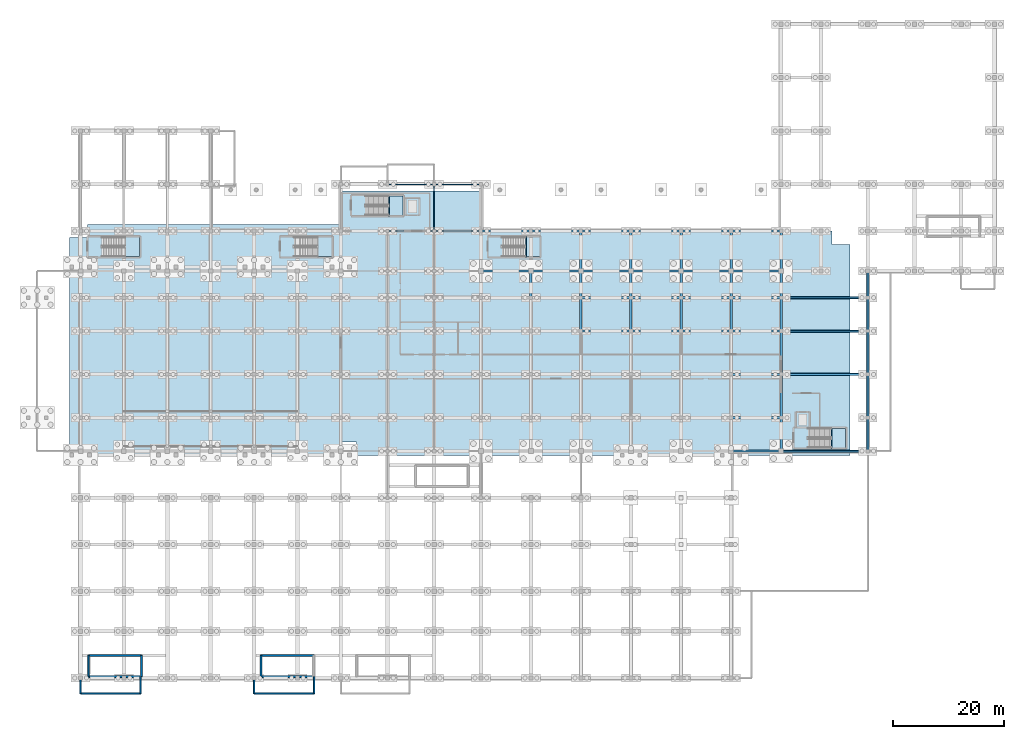
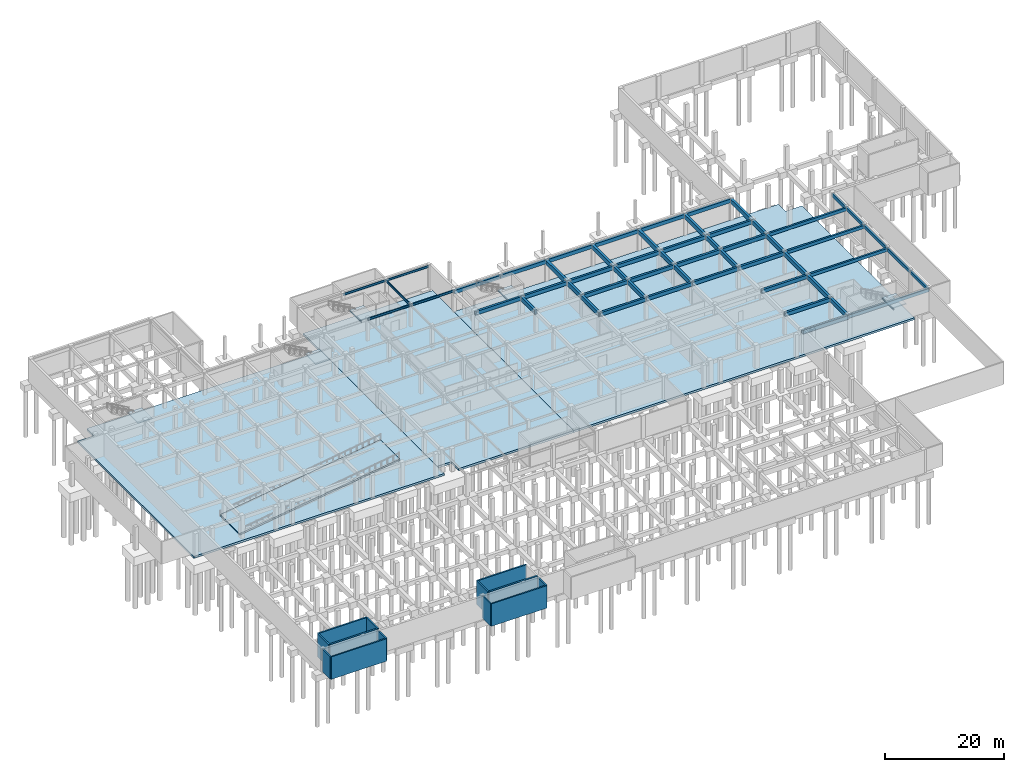
# One storey, part 14 of 26: 59 beams, 13 walls, 9 slabs, 5 elements without a shape of their own.
"""IFC4 building model written with IfcOpenShell, lengths in metres."""

from ifc_helpers import new_model, si_unit, direction, frame, frame_2d, origin, origin_2d, place, context, subcontext, project, spatial, polyline, rectangle, i_section, outline, extrude, material, layer, layer_set, material_profile, profile_set, type_object, element, aggregate, save


model = new_model("IFC4")

# Units and contexts
model_context = context("Model", 3, precision=1e-05, world=origin(), true_north=direction((0.0, 1.0)))
body_context = subcontext(model_context, "Body", "Model", "MODEL_VIEW")
ifc_project = project(units=[si_unit("LENGTHUNIT", "METRE"), si_unit("AREAUNIT", "SQUARE_METRE"), si_unit("VOLUMEUNIT", "CUBIC_METRE"), si_unit("PLANEANGLEUNIT", "RADIAN"), si_unit("MASSUNIT", "GRAM", prefix="KILO")], contexts=[model_context])

# Site, building, storey
site_placement = place(None, origin())
site = spatial("IfcSite", under=ifc_project, at=site_placement, CompositionType="ELEMENT")
building_placement = place(site_placement, origin())
building = spatial("IfcBuilding", under=site, at=building_placement, Name="Tizgana Railside Sports Hall", CompositionType="ELEMENT")
storey_placement = place(building_placement, frame((0.0, 0.0, -4.800048828125)))
storey = spatial("IfcBuildingStorey", under=building, at=storey_placement, Name="B1", CompositionType="ELEMENT", Elevation=-4.800048828125)

# Beams
ifc_material_1 = material(Name="Concrete C35/45", Category="concrete")
ifc_material_profile_1 = material_profile(ifc_material_1, rectangle(XDim=0.35009765625, YDim=0.64990234375, at=origin_2d()), Name="RCB 350x650")
ifc_profile_set_1 = profile_set([ifc_material_profile_1], Name="Concrete C35/45")
beam_type_1 = type_object("IfcBeamType", Name="Concrete Beam RCB 350x650", PredefinedType="BEAM", material=ifc_profile_set_1)
for number, where, z_axis, x_axis, name in (
    (1, (133.800048828125, 40.800048828125, 4.175048828125), (1.0, 0.0, 0.0), (0.0, 1.0, 0.0), "B1 BEM-1363"),
    (2, (133.800048828125, 54.60009765625, 4.151123046875), (1.0, 0.0, 0.0), (0.0, 1.0, 0.0), "B1 BEM-1364"),
    (3, (133.800048828125, 62.39990234375, 4.151123046875), (1.0, 0.0, 0.0), (0.0, 1.0, 0.0), "B1 BEM-1365"),
    (4, (133.800048828125, 68.39990234375, 4.151123046875), (1.0, 0.0, 0.0), (0.0, 1.0, 0.0), "B1 BEM-1366"),
):
    element("IfcBeam", number, at=place(storey_placement, frame(where, z_axis=z_axis, x_axis=x_axis)), inside=storey, type_object=beam_type_1, Name=name, PredefinedType="BEAM", context=body_context, shape_type="SweptSolid", body=[
        extrude(rectangle(XDim=0.35009765625, YDim=0.64990234375, at=origin_2d()), origin(), (0.0, 0.0, 1.0), 15.599853515625),
    ])
beam_1_placement = place(storey_placement, frame((149.39990234375, 40.800048828125, 4.175048828125), z_axis=(0.0, 1.0, 0.0), x_axis=(-1.0, 0.0, 0.0)))
element("IfcBeam", 5, at=beam_1_placement, inside=storey, type_object=beam_type_1, Name="B1 BEM-1367", PredefinedType="BEAM", context=body_context, shape_type="SweptSolid", body=[
    extrude(rectangle(XDim=0.35009765625, YDim=0.64990234375, at=origin_2d()), origin(), (0.0, 0.0, 1.0), 6.0),
])
beam_2_placement = place(storey_placement, frame((149.39990234375, 46.800048828125, 4.175048828125), z_axis=(0.0, 1.0, 0.0), x_axis=(-1.0, 0.0, 0.0)))
element("IfcBeam", 6, at=beam_2_placement, inside=storey, type_object=beam_type_1, Name="B1 BEM-1368", PredefinedType="BEAM", context=body_context, shape_type="SweptSolid", body=[
    extrude(rectangle(XDim=0.35009765625, YDim=0.64990234375, at=origin_2d()), origin(), (0.0, 0.0, 1.0), 7.800048828125),
])
beam_3_placement = place(storey_placement, frame((149.39990234375, 54.60009765625, 4.175048828125), z_axis=(0.0, 1.0, 0.0), x_axis=(-1.0, 0.0, 0.0)))
element("IfcBeam", 7, at=beam_3_placement, inside=storey, type_object=beam_type_1, Name="B1 BEM-1369", PredefinedType="BEAM", context=body_context, shape_type="SweptSolid", body=[
    extrude(rectangle(XDim=0.35009765625, YDim=0.64990234375, at=origin_2d()), origin(), (0.0, 0.0, 1.0), 7.7998046875),
])
beam_4_placement = place(storey_placement, frame((149.39990234375, 62.39990234375, 4.175048828125), z_axis=(0.0, 1.0, 0.0), x_axis=(-1.0, 0.0, 0.0)))
element("IfcBeam", 8, at=beam_4_placement, inside=storey, type_object=beam_type_1, Name="B1 BEM-1370", PredefinedType="BEAM", context=body_context, shape_type="SweptSolid", body=[
    extrude(rectangle(XDim=0.35009765625, YDim=0.64990234375, at=origin_2d()), origin(), (0.0, 0.0, 1.0), 6.0),
])
beam_5_placement = place(storey_placement, frame((149.39990234375, 68.39990234375, 4.151123046875), z_axis=(0.0, 1.0, 0.0), x_axis=(-1.0, 0.0, 0.0)))
element("IfcBeam", 9, at=beam_5_placement, inside=storey, type_object=beam_type_1, Name="B1 BEM-1371", PredefinedType="BEAM", context=body_context, shape_type="SweptSolid", body=[
    extrude(rectangle(XDim=0.35009765625, YDim=0.64990234375, at=origin_2d()), origin(), (0.0, 0.0, 1.0), 4.800048828125),
])
ifc_material_profile_2 = material_profile(ifc_material_1, rectangle(XDim=0.39990234375, YDim=0.75, at=origin_2d()), Name="RCB 400x750")
ifc_profile_set_2 = profile_set([ifc_material_profile_2], Name="Concrete C35/45")
beam_type_2 = type_object("IfcBeamType", Name="Concrete Beam RCB 400x750", PredefinedType="BEAM", material=ifc_profile_set_2)
for number, where, z_axis, x_axis, name in (
    (10, (79.800048828125, 73.199951171875, 4.10107421875), (1.0, 0.0, 0.0), (0.0, 1.0, 0.0), "B1 BEM-1116"),
    (11, (79.800048828125, 80.39990234375, 4.10107421875), (1.0, 0.0, 0.0), (0.0, 1.0, 0.0), "B1 BEM-1117"),
    (12, (88.800048828125, 73.199951171875, 4.10107421875), (1.0, 0.0, 0.0), (0.0, 1.0, 0.0), "B1 BEM-1123"),
    (13, (88.800048828125, 80.39990234375, 4.10107421875), (1.0, 0.0, 0.0), (0.0, 1.0, 0.0), "B1 BEM-1124"),
    (14, (97.800048828125, 62.39990234375, 4.10107421875), (1.0, 0.0, 0.0), (0.0, 1.0, 0.0), "B1 BEM-1128"),
    (15, (97.800048828125, 68.39990234375, 4.10107421875), (1.0, 0.0, 0.0), (0.0, 1.0, 0.0), "B1 BEM-1129"),
    (16, (97.800048828125, 73.199951171875, 4.10107421875), (1.0, 0.0, 0.0), (0.0, 1.0, 0.0), "B1 BEM-1130"),
    (17, (97.800048828125, 80.39990234375, 4.10107421875), (1.0, 0.0, 0.0), (0.0, 1.0, 0.0), "B1 BEM-1131"),
    (18, (106.800048828125, 62.39990234375, 4.10107421875), (1.0, 0.0, 0.0), (0.0, 1.0, 0.0), "B1 BEM-1135"),
    (19, (106.800048828125, 68.39990234375, 4.10107421875), (1.0, 0.0, 0.0), (0.0, 1.0, 0.0), "B1 BEM-1136"),
    (20, (106.800048828125, 73.199951171875, 4.10107421875), (1.0, 0.0, 0.0), (0.0, 1.0, 0.0), "B1 BEM-1137"),
    (21, (106.800048828125, 80.39990234375, 4.10107421875), (1.0, 0.0, 0.0), (0.0, 1.0, 0.0), "B1 BEM-1138"),
    (22, (115.800048828125, 62.39990234375, 4.10107421875), (1.0, 0.0, 0.0), (0.0, 1.0, 0.0), "B1 BEM-1142"),
    (23, (115.800048828125, 68.39990234375, 4.10107421875), (1.0, 0.0, 0.0), (0.0, 1.0, 0.0), "B1 BEM-1143"),
    (24, (115.800048828125, 73.199951171875, 4.10107421875), (1.0, 0.0, 0.0), (0.0, 1.0, 0.0), "B1 BEM-1144"),
    (25, (115.800048828125, 80.39990234375, 4.10107421875), (1.0, 0.0, 0.0), (0.0, 1.0, 0.0), "B1 BEM-1145"),
    (26, (124.800048828125, 40.800048828125, 4.10107421875), (1.0, 0.0, 0.0), (0.0, 1.0, 0.0), "B1 BEM-1146"),
    (27, (124.800048828125, 46.800048828125, 4.10107421875), (1.0, 0.0, 0.0), (0.0, 1.0, 0.0), "B1 BEM-1147"),
    (28, (124.800048828125, 54.60009765625, 4.10107421875), (1.0, 0.0, 0.0), (0.0, 1.0, 0.0), "B1 BEM-1148"),
    (29, (124.800048828125, 62.39990234375, 4.10107421875), (1.0, 0.0, 0.0), (0.0, 1.0, 0.0), "B1 BEM-1149"),
    (30, (124.800048828125, 68.39990234375, 4.10107421875), (1.0, 0.0, 0.0), (0.0, 1.0, 0.0), "B1 BEM-1150"),
    (31, (124.800048828125, 73.199951171875, 4.10107421875), (1.0, 0.0, 0.0), (0.0, 1.0, 0.0), "B1 BEM-1151"),
    (32, (124.800048828125, 80.39990234375, 4.10107421875), (1.0, 0.0, 0.0), (0.0, 1.0, 0.0), "B1 BEM-1152"),
):
    element("IfcBeam", number, at=place(storey_placement, frame(where, z_axis=z_axis, x_axis=x_axis)), inside=storey, type_object=beam_type_2, Name=name, PredefinedType="BEAM", context=body_context, shape_type="SweptSolid", body=[
        extrude(rectangle(XDim=0.39990234375, YDim=0.75, at=origin_2d()), origin(), (0.0, 0.0, 1.0), 9.0),
    ])
ifc_material_2 = material(Name="Concrete C40/50", Category="concrete")
ifc_material_profile_3 = material_profile(ifc_material_2, rectangle(XDim=0.449951171875, YDim=0.85009765625, at=origin_2d()), Name="RCB 450x850")
ifc_profile_set_3 = profile_set([ifc_material_profile_3], Name="Concrete C40/50")
beam_type_3 = type_object("IfcBeamType", Name="Concrete Beam RCB 450x850", PredefinedType="BEAM", material=ifc_profile_set_3)
beam_6_placement = place(storey_placement, frame((88.800048828125, 68.39990234375, 4.051025390625), z_axis=(0.0, 1.0, 0.0), x_axis=(-1.0, 0.0, 0.0)))
element("IfcBeam", 33, at=beam_6_placement, inside=storey, type_object=beam_type_3, Name="B1 BEM-1080", PredefinedType="BEAM", context=body_context, shape_type="SweptSolid", body=[
    extrude(rectangle(XDim=0.449951171875, YDim=0.85009765625, at=origin_2d()), origin(), (0.0, 0.0, 1.0), 4.800048828125),
])
beam_7_placement = place(storey_placement, frame((97.800048828125, 62.39990234375, 4.051025390625), z_axis=(0.0, 1.0, 0.0), x_axis=(-1.0, 0.0, 0.0)))
element("IfcBeam", 34, at=beam_7_placement, inside=storey, type_object=beam_type_3, Name="B1 BEM-1084", PredefinedType="BEAM", context=body_context, shape_type="SweptSolid", body=[
    extrude(rectangle(XDim=0.449951171875, YDim=0.85009765625, at=origin_2d()), origin(), (0.0, 0.0, 1.0), 6.0),
])
beam_8_placement = place(storey_placement, frame((97.800048828125, 68.39990234375, 4.051025390625), z_axis=(0.0, 1.0, 0.0), x_axis=(-1.0, 0.0, 0.0)))
element("IfcBeam", 35, at=beam_8_placement, inside=storey, type_object=beam_type_3, Name="B1 BEM-1085", PredefinedType="BEAM", context=body_context, shape_type="SweptSolid", body=[
    extrude(rectangle(XDim=0.449951171875, YDim=0.85009765625, at=origin_2d()), origin(), (0.0, 0.0, 1.0), 4.800048828125),
])
beam_9_placement = place(storey_placement, frame((97.800048828125, 73.199951171875, 4.051025390625), z_axis=(0.0, 1.0, 0.0), x_axis=(-1.0, 0.0, 0.0)))
element("IfcBeam", 36, at=beam_9_placement, inside=storey, type_object=beam_type_3, Name="B1 BEM-1086", PredefinedType="BEAM", context=body_context, shape_type="SweptSolid", body=[
    extrude(rectangle(XDim=0.449951171875, YDim=0.85009765625, at=origin_2d()), origin(), (0.0, 0.0, 1.0), 7.199951171875),
])
beam_10_placement = place(storey_placement, frame((106.800048828125, 62.39990234375, 4.051025390625), z_axis=(0.0, 1.0, 0.0), x_axis=(-1.0, 0.0, 0.0)))
element("IfcBeam", 37, at=beam_10_placement, inside=storey, type_object=beam_type_3, Name="B1 BEM-1090", PredefinedType="BEAM", context=body_context, shape_type="SweptSolid", body=[
    extrude(rectangle(XDim=0.449951171875, YDim=0.85009765625, at=origin_2d()), origin(), (0.0, 0.0, 1.0), 6.0),
])
beam_11_placement = place(storey_placement, frame((106.800048828125, 68.39990234375, 4.051025390625), z_axis=(0.0, 1.0, 0.0), x_axis=(-1.0, 0.0, 0.0)))
element("IfcBeam", 38, at=beam_11_placement, inside=storey, type_object=beam_type_3, Name="B1 BEM-1091", PredefinedType="BEAM", context=body_context, shape_type="SweptSolid", body=[
    extrude(rectangle(XDim=0.449951171875, YDim=0.85009765625, at=origin_2d()), origin(), (0.0, 0.0, 1.0), 4.800048828125),
])
beam_12_placement = place(storey_placement, frame((106.800048828125, 73.199951171875, 4.051025390625), z_axis=(0.0, 1.0, 0.0), x_axis=(-1.0, 0.0, 0.0)))
element("IfcBeam", 39, at=beam_12_placement, inside=storey, type_object=beam_type_3, Name="B1 BEM-1092", PredefinedType="BEAM", context=body_context, shape_type="SweptSolid", body=[
    extrude(rectangle(XDim=0.449951171875, YDim=0.85009765625, at=origin_2d()), origin(), (0.0, 0.0, 1.0), 7.199951171875),
])
beam_13_placement = place(storey_placement, frame((115.800048828125, 62.39990234375, 4.051025390625), z_axis=(0.0, 1.0, 0.0), x_axis=(-1.0, 0.0, 0.0)))
element("IfcBeam", 40, at=beam_13_placement, inside=storey, type_object=beam_type_3, Name="B1 BEM-1096", PredefinedType="BEAM", context=body_context, shape_type="SweptSolid", body=[
    extrude(rectangle(XDim=0.449951171875, YDim=0.85009765625, at=origin_2d()), origin(), (0.0, 0.0, 1.0), 6.0),
])
beam_14_placement = place(storey_placement, frame((115.800048828125, 68.39990234375, 4.051025390625), z_axis=(0.0, 1.0, 0.0), x_axis=(-1.0, 0.0, 0.0)))
element("IfcBeam", 41, at=beam_14_placement, inside=storey, type_object=beam_type_3, Name="B1 BEM-1097", PredefinedType="BEAM", context=body_context, shape_type="SweptSolid", body=[
    extrude(rectangle(XDim=0.449951171875, YDim=0.85009765625, at=origin_2d()), origin(), (0.0, 0.0, 1.0), 4.800048828125),
])
beam_15_placement = place(storey_placement, frame((115.800048828125, 73.199951171875, 4.051025390625), z_axis=(0.0, 1.0, 0.0), x_axis=(-1.0, 0.0, 0.0)))
element("IfcBeam", 42, at=beam_15_placement, inside=storey, type_object=beam_type_3, Name="B1 BEM-1098", PredefinedType="BEAM", context=body_context, shape_type="SweptSolid", body=[
    extrude(rectangle(XDim=0.449951171875, YDim=0.85009765625, at=origin_2d()), origin(), (0.0, 0.0, 1.0), 7.199951171875),
])
beam_16_placement = place(storey_placement, frame((124.800048828125, 62.39990234375, 4.051025390625), z_axis=(0.0, 1.0, 0.0), x_axis=(-1.0, 0.0, 0.0)))
element("IfcBeam", 43, at=beam_16_placement, inside=storey, type_object=beam_type_3, Name="B1 BEM-1102", PredefinedType="BEAM", context=body_context, shape_type="SweptSolid", body=[
    extrude(rectangle(XDim=0.449951171875, YDim=0.85009765625, at=origin_2d()), origin(), (0.0, 0.0, 1.0), 6.0),
])
beam_17_placement = place(storey_placement, frame((124.800048828125, 68.39990234375, 4.051025390625), z_axis=(0.0, 1.0, 0.0), x_axis=(-1.0, 0.0, 0.0)))
element("IfcBeam", 44, at=beam_17_placement, inside=storey, type_object=beam_type_3, Name="B1 BEM-1103", PredefinedType="BEAM", context=body_context, shape_type="SweptSolid", body=[
    extrude(rectangle(XDim=0.449951171875, YDim=0.85009765625, at=origin_2d()), origin(), (0.0, 0.0, 1.0), 4.800048828125),
])
beam_18_placement = place(storey_placement, frame((124.800048828125, 73.199951171875, 4.051025390625), z_axis=(0.0, 1.0, 0.0), x_axis=(-1.0, 0.0, 0.0)))
element("IfcBeam", 45, at=beam_18_placement, inside=storey, type_object=beam_type_3, Name="B1 BEM-1104", PredefinedType="BEAM", context=body_context, shape_type="SweptSolid", body=[
    extrude(rectangle(XDim=0.449951171875, YDim=0.85009765625, at=origin_2d()), origin(), (0.0, 0.0, 1.0), 7.199951171875),
])
beam_19_placement = place(storey_placement, frame((133.800048828125, 40.800048828125, 4.051025390625), z_axis=(0.0, 1.0, 0.0), x_axis=(-1.0, 0.0, 0.0)))
element("IfcBeam", 46, at=beam_19_placement, inside=storey, type_object=beam_type_3, Name="B1 BEM-1105", PredefinedType="BEAM", context=body_context, shape_type="SweptSolid", body=[
    extrude(rectangle(XDim=0.449951171875, YDim=0.85009765625, at=origin_2d()), origin(), (0.0, 0.0, 1.0), 6.0),
])
beam_20_placement = place(storey_placement, frame((133.800048828125, 46.800048828125, 4.051025390625), z_axis=(0.0, 1.0, 0.0), x_axis=(-1.0, 0.0, 0.0)))
element("IfcBeam", 47, at=beam_20_placement, inside=storey, type_object=beam_type_3, Name="B1 BEM-1106", PredefinedType="BEAM", context=body_context, shape_type="SweptSolid", body=[
    extrude(rectangle(XDim=0.449951171875, YDim=0.85009765625, at=origin_2d()), origin(), (0.0, 0.0, 1.0), 7.800048828125),
])
beam_21_placement = place(storey_placement, frame((133.800048828125, 54.60009765625, 4.051025390625), z_axis=(0.0, 1.0, 0.0), x_axis=(-1.0, 0.0, 0.0)))
element("IfcBeam", 48, at=beam_21_placement, inside=storey, type_object=beam_type_3, Name="B1 BEM-1107", PredefinedType="BEAM", context=body_context, shape_type="SweptSolid", body=[
    extrude(rectangle(XDim=0.449951171875, YDim=0.85009765625, at=origin_2d()), origin(), (0.0, 0.0, 1.0), 7.7998046875),
])
beam_22_placement = place(storey_placement, frame((133.800048828125, 62.39990234375, 4.051025390625), z_axis=(0.0, 1.0, 0.0), x_axis=(-1.0, 0.0, 0.0)))
element("IfcBeam", 49, at=beam_22_placement, inside=storey, type_object=beam_type_3, Name="B1 BEM-1108", PredefinedType="BEAM", context=body_context, shape_type="SweptSolid", body=[
    extrude(rectangle(XDim=0.449951171875, YDim=0.85009765625, at=origin_2d()), origin(), (0.0, 0.0, 1.0), 6.0),
])
beam_23_placement = place(storey_placement, frame((133.800048828125, 68.39990234375, 4.051025390625), z_axis=(0.0, 1.0, 0.0), x_axis=(-1.0, 0.0, 0.0)))
element("IfcBeam", 50, at=beam_23_placement, inside=storey, type_object=beam_type_3, Name="B1 BEM-1109", PredefinedType="BEAM", context=body_context, shape_type="SweptSolid", body=[
    extrude(rectangle(XDim=0.449951171875, YDim=0.85009765625, at=origin_2d()), origin(), (0.0, 0.0, 1.0), 4.800048828125),
])
beam_24_placement = place(storey_placement, frame((133.800048828125, 73.199951171875, 4.051025390625), z_axis=(0.0, 1.0, 0.0), x_axis=(-1.0, 0.0, 0.0)))
element("IfcBeam", 51, at=beam_24_placement, inside=storey, type_object=beam_type_3, Name="B1 BEM-1110", PredefinedType="BEAM", context=body_context, shape_type="SweptSolid", body=[
    extrude(rectangle(XDim=0.449951171875, YDim=0.85009765625, at=origin_2d()), origin(), (0.0, 0.0, 1.0), 7.199951171875),
])
ifc_material_3 = material(Name="Steel S355J2", Category="steel")
ifc_material_profile_4 = material_profile(ifc_material_3, i_section(OverallWidth=0.1201171875, OverallDepth=0.239990234375, WebThickness=0.006103515625, FlangeThickness=0.009765625, FilletRadius=0.014892578125, at=origin_2d()), Name="IPE 240")
ifc_profile_set_4 = profile_set([ifc_material_profile_4], Name="Steel S355J2")
beam_type_4 = type_object("IfcBeamType", Name="Stair Mid-Landing Header IPE 240", PredefinedType="JOIST", material=ifc_profile_set_4)
for number, where, z_axis, x_axis, name in (
    (52, (63.300048828125, 83.050048828125, 2.078125), (0.0, 1.0, 0.0), (-1.0, 0.0, 0.0), "B1 C4 Mid Header 1"),
    (53, (142.89990234375, 41.25, 2.078125), (0.0, 1.0, 0.0), (-1.0, 0.0, 0.0), "B1 C5 Mid Header 1"),
    (54, (87.89990234375, 75.64990234375, 2.078125), (0.0, 1.0, 0.0), (-1.0, 0.0, 0.0), "B1 C8 Mid Header 1"),
):
    element("IfcBeam", number, at=place(storey_placement, frame(where, z_axis=z_axis, x_axis=x_axis)), inside=storey, type_object=beam_type_4, Name=name, PredefinedType="JOIST", context=body_context, shape_type="SweptSolid", body=[
        extrude(i_section(OverallWidth=0.1201171875, OverallDepth=0.239990234375, WebThickness=0.006103515625, FlangeThickness=0.009765625, FilletRadius=0.014892578125, at=origin_2d()), origin(), (0.0, 0.0, 1.0), 3.800048828125),
    ])
ifc_material_profile_5 = material_profile(ifc_material_3, i_section(OverallWidth=0.18994140625, OverallDepth=0.449951171875, WebThickness=0.009521484375, FlangeThickness=0.0146484375, FilletRadius=0.02099609375, at=origin_2d()), Name="IPE 450")
ifc_profile_set_5 = profile_set([ifc_material_profile_5], Name="Steel S355J2")
beam_type_5 = type_object("IfcBeamType", Name="Steel Beam IPE 450", PredefinedType="BEAM", material=ifc_profile_set_5)
for number, where, z_axis, x_axis, name in (
    (55, (63.0, 80.39990234375, 4.301025390625), (1.0, 0.0, 0.0), (0.0, 1.0, 0.0), "B1 BEM-0899"),
    (56, (63.0, 88.800048828125, 4.301025390625), (1.0, 0.0, 0.0), (0.0, 1.0, 0.0), "B1 BEM-0900"),
):
    element("IfcBeam", number, at=place(storey_placement, frame(where, z_axis=z_axis, x_axis=x_axis)), inside=storey, type_object=beam_type_5, Name=name, PredefinedType="BEAM", context=body_context, shape_type="SweptSolid", body=[
        extrude(i_section(OverallWidth=0.18994140625, OverallDepth=0.449951171875, WebThickness=0.009521484375, FlangeThickness=0.0146484375, FilletRadius=0.02099609375, at=origin_2d()), origin(), (0.0, 0.0, 1.0), 8.39990234375),
    ])
for number, where, z_axis, x_axis, name in (
    (57, (71.39990234375, 80.39990234375, 4.301025390625), (1.0, 0.0, 0.0), (0.0, 1.0, 0.0), "B1 BEM-0908"),
    (58, (71.39990234375, 88.800048828125, 4.301025390625), (1.0, 0.0, 0.0), (0.0, 1.0, 0.0), "B1 BEM-0909"),
):
    element("IfcBeam", number, at=place(storey_placement, frame(where, z_axis=z_axis, x_axis=x_axis)), inside=storey, type_object=beam_type_5, Name=name, PredefinedType="BEAM", context=body_context, shape_type="SweptSolid", body=[
        extrude(i_section(OverallWidth=0.18994140625, OverallDepth=0.449951171875, WebThickness=0.009521484375, FlangeThickness=0.0146484375, FilletRadius=0.02099609375, at=origin_2d()), origin(), (0.0, 0.0, 1.0), 8.400146484375),
    ])
ifc_material_profile_6 = material_profile(ifc_material_3, i_section(OverallWidth=0.199951171875, OverallDepth=0.5, WebThickness=0.01025390625, FlangeThickness=0.01611328125, FilletRadius=0.02099609375, at=origin_2d()), Name="IPE 500")
ifc_profile_set_6 = profile_set([ifc_material_profile_6], Name="Steel S355J2")
beam_type_6 = type_object("IfcBeamType", Name="Steel Beam IPE 500", PredefinedType="BEAM", material=ifc_profile_set_6)
beam_25_placement = place(storey_placement, frame((71.39990234375, 80.39990234375, 4.276123046875), z_axis=(0.0, 1.0, 0.0), x_axis=(-1.0, 0.0, 0.0)))
element("IfcBeam", 59, at=beam_25_placement, inside=storey, type_object=beam_type_6, Name="B1 BEM-0881", PredefinedType="BEAM", context=body_context, shape_type="SweptSolid", body=[
    extrude(i_section(OverallWidth=0.199951171875, OverallDepth=0.5, WebThickness=0.01025390625, FlangeThickness=0.01611328125, FilletRadius=0.02099609375, at=origin_2d()), origin(), (0.0, 0.0, 1.0), 8.400146484375),
])

# Slabs
ifc_layer_1 = layer(ifc_material_1, 0.419921875, Name="Concrete C35/45")
ifc_layer_set_1 = layer_set([ifc_layer_1], Name="Concrete C35/45")
slab_type_1 = type_object("IfcSlabType", Name="Basement Mat Foundation Slab 420", PredefinedType="BASESLAB", material=ifc_layer_set_1)
slab_1_placement = place(storey_placement, frame((0.0, 0.0, -0.419921875)))
element("IfcSlab", 60, at=slab_1_placement, inside=storey, type_object=slab_type_1, Name="B1 V1 Basement Mat SLB-0001", PredefinedType="BASESLAB", context=body_context, shape_type="SweptSolid", body=[
    extrude(outline(polyline([(5.800048828125, 40.0), (54.60009765625, 40.0), (54.60009765625, 81.60009765625), (9.0, 81.60009765625), (9.0, 79.199951171875), (5.800048828125, 79.199951171875), (5.800048828125, 40.0)])), origin(), (0.0, 0.0, 1.0), 0.419921875),
])
slab_2_placement = place(storey_placement, frame((0.0, 0.0, -0.419921875)))
element("IfcSlab", 61, at=slab_2_placement, inside=storey, type_object=slab_type_1, Name="B1 V4 Basement Mat SLB-0002", PredefinedType="BASESLAB", context=body_context, shape_type="SweptSolid", body=[
    extrude(outline(polyline([(57.39990234375, 40.0), (79.800048828125, 40.0), (79.800048828125, 87.60009765625), (54.60009765625, 87.60009765625), (54.60009765625, 42.39990234375), (57.39990234375, 42.39990234375), (57.39990234375, 40.0)])), origin(), (0.0, 0.0, 1.0), 0.419921875),
])
slab_3_placement = place(storey_placement, frame((0.0, 0.0, -0.419921875)))
element("IfcSlab", 62, at=slab_3_placement, inside=storey, type_object=slab_type_1, Name="B1 V2 Basement Mat SLB-0003", PredefinedType="BASESLAB", context=body_context, shape_type="SweptSolid", body=[
    extrude(outline(polyline([(79.800048828125, 40.0), (146.199951171875, 40.0), (146.199951171875, 78.0), (143.0, 78.0), (143.0, 80.39990234375), (79.800048828125, 80.39990234375), (79.800048828125, 40.0)])), origin(), (0.0, 0.0, 1.0), 0.419921875),
])

# Stair, slab
stair_type_1 = type_object("IfcStairType", Name="Concourse Feature Stair 1800", PredefinedType="HALF_TURN_STAIR", material=ifc_material_1)
stair_1_placement = place(storey_placement, origin())
stair_1 = element("IfcStair", 63, at=stair_1_placement, inside=storey, type_object=stair_type_1, Name="B1 Core Stair ST-04", PredefinedType="HALF_TURN_STAIR")
ifc_layer_2 = layer(ifc_material_1, 0.199951171875, Name="Concrete C35/45")
ifc_layer_set_2 = layer_set([ifc_layer_2], Name="Concrete C35/45")
slab_type_2 = type_object("IfcSlabType", Name="Core Stair Landing Slab 200", PredefinedType="LANDING", material=ifc_layer_set_2)
slab_4_placement = place(storey_placement, frame((0.0, 0.0, 2.199951171875)))
slab_4 = element("IfcSlab", 64, at=slab_4_placement, type_object=slab_type_2, Name="ST-04 landing 1", PredefinedType="LANDING", context=body_context, shape_type="SweptSolid", body=[
    extrude(outline(polyline([(63.02001953125, 83.199951171875), (65.800048828125, 83.199951171875), (65.800048828125, 86.699951171875), (63.02001953125, 86.699951171875), (63.02001953125, 83.199951171875)])), origin(), (0.0, 0.0, 1.0), 0.2001953125),
])
aggregate(stair_1, [slab_4])

stair_type_2 = type_object("IfcStairType", Name="Core Protected Stair 1500", PredefinedType="HALF_TURN_STAIR", material=ifc_material_1)
stair_2_placement = place(storey_placement, origin())
stair_2 = element("IfcStair", 65, at=stair_2_placement, inside=storey, type_object=stair_type_2, Name="B1 Core Stair ST-05", PredefinedType="HALF_TURN_STAIR")
slab_5_placement = place(storey_placement, frame((0.0, 0.0, 2.199951171875)))
slab_5 = element("IfcSlab", 66, at=slab_5_placement, type_object=slab_type_2, Name="ST-05 landing 1", PredefinedType="LANDING", context=body_context, shape_type="SweptSolid", body=[
    extrude(outline(polyline([(142.6201171875, 41.39990234375), (145.39990234375, 41.39990234375), (145.39990234375, 44.89990234375), (142.6201171875, 44.89990234375), (142.6201171875, 41.39990234375)])), origin(), (0.0, 0.0, 1.0), 0.2001953125),
])
aggregate(stair_2, [slab_5])

stair_type_3 = type_object("IfcStairType", Name="Tournament Court Stair 1600", PredefinedType="HALF_TURN_STAIR", material=ifc_material_1)
stair_3_placement = place(storey_placement, origin())
stair_3 = element("IfcStair", 67, at=stair_3_placement, inside=storey, type_object=stair_type_3, Name="B1 Core Stair ST-06", PredefinedType="HALF_TURN_STAIR")
slab_6_placement = place(storey_placement, frame((0.0, 0.0, 2.199951171875)))
slab_6 = element("IfcSlab", 68, at=slab_6_placement, type_object=slab_type_2, Name="ST-06 landing 1", PredefinedType="LANDING", context=body_context, shape_type="SweptSolid", body=[
    extrude(outline(polyline([(50.219970703125, 75.800048828125), (53.0, 75.800048828125), (53.0, 79.300048828125), (50.219970703125, 79.300048828125), (50.219970703125, 75.800048828125)])), origin(), (0.0, 0.0, 1.0), 0.2001953125),
])
aggregate(stair_3, [slab_6])

stair_type_4 = type_object("IfcStairType", Name="Spectator Aisle Stair 1400", PredefinedType="HALF_TURN_STAIR", material=ifc_material_1)
stair_4_placement = place(storey_placement, origin())
stair_4 = element("IfcStair", 69, at=stair_4_placement, inside=storey, type_object=stair_type_4, Name="B1 Core Stair ST-07", PredefinedType="HALF_TURN_STAIR")
slab_7_placement = place(storey_placement, frame((0.0, 0.0, 2.199951171875)))
slab_7 = element("IfcSlab", 70, at=slab_7_placement, type_object=slab_type_2, Name="ST-07 landing 1", PredefinedType="LANDING", context=body_context, shape_type="SweptSolid", body=[
    extrude(outline(polyline([(15.6201171875, 75.800048828125), (18.39990234375, 75.800048828125), (18.39990234375, 79.300048828125), (15.6201171875, 79.300048828125), (15.6201171875, 75.800048828125)])), origin(), (0.0, 0.0, 1.0), 0.2001953125),
])
aggregate(stair_4, [slab_7])

stair_5_placement = place(storey_placement, origin())
stair_5 = element("IfcStair", 71, at=stair_5_placement, inside=storey, type_object=stair_type_1, Name="B1 Core Stair ST-08", PredefinedType="HALF_TURN_STAIR")
slab_8_placement = place(storey_placement, frame((0.0, 0.0, 2.199951171875)))
slab_8 = element("IfcSlab", 72, at=slab_8_placement, type_object=slab_type_2, Name="ST-08 landing 1", PredefinedType="LANDING", context=body_context, shape_type="SweptSolid", body=[
    extrude(outline(polyline([(87.6201171875, 75.800048828125), (90.39990234375, 75.800048828125), (90.39990234375, 79.300048828125), (87.6201171875, 79.300048828125), (87.6201171875, 75.800048828125)])), origin(), (0.0, 0.0, 1.0), 0.2001953125),
])
aggregate(stair_5, [slab_8])

# Slab
ifc_layer_3 = layer(ifc_material_1, 0.300048828125, Name="Concrete C35/45")
ifc_layer_set_3 = layer_set([ifc_layer_3], Name="Concrete C35/45")
slab_type_3 = type_object("IfcSlabType", Name="Structural Vehicle Ramp Slab 300", PredefinedType="FLOOR", material=ifc_layer_set_3)
slab_9_placement = place(storey_placement, frame((15.60009765625, 41.550048828125, 0.300048828125), z_axis=(-0.142753813894, 0.0, 0.989758227356), x_axis=(0.989758227356, 0.0, 0.142753813894)))
element("IfcSlab", 73, at=slab_9_placement, inside=storey, type_object=slab_type_3, Name="B1 Two-Way Vehicle Ramp Slab SLB-0004", PredefinedType="FLOOR", context=body_context, shape_type="SweptSolid", body=[
    extrude(outline(polyline([(0.0, 0.0), (31.522800527989013, 0.0), (31.522800527989013, 6.500000000000002), (0.0, 6.500000000000002), (0.0, 0.0)])), origin(), (0.0, 0.0, -1.0), 0.300048828125),
])

# Walls
ifc_layer_4 = layer(ifc_material_2, 0.300048828125, Name="Concrete C40/50")
ifc_layer_set_4 = layer_set([ifc_layer_4], Name="Concrete C40/50")
wall_type_1 = type_object("IfcWallType", Name="Core Shear Wall 300", PredefinedType="SHEAR", material=ifc_layer_set_4)
wall_1_placement = place(storey_placement, frame((9.25, 4.050048828125, 0.0), z_axis=(0.0, 0.0, 1.0), x_axis=(1.0, 0.0, 0.0)))
element("IfcWall", 74, at=wall_1_placement, inside=storey, type_object=wall_type_1, Name="B1 C1 Shaft Wall N", PredefinedType="SHEAR", context=body_context, shape_type="SweptSolid", body=[
    extrude(rectangle(XDim=9.5, YDim=0.300048828125, at=frame_2d((4.75, 0.0))), origin(), (0.0, 0.0, 1.0), 4.800048828125),
])
for number, where, z_axis, x_axis, name in (
    (75, (9.25, 0.25, 0.0), (0.0, 0.0, 1.0), (0.0, 1.0, 0.0), "B1 C1 Shaft Wall W"),
    (76, (18.75, 0.25, 0.0), (0.0, 0.0, 1.0), (0.0, 1.0, 0.0), "B1 C1 Shaft Wall E"),
):
    element("IfcWall", number, at=place(storey_placement, frame(where, z_axis=z_axis, x_axis=x_axis)), inside=storey, type_object=wall_type_1, Name=name, PredefinedType="SHEAR", context=body_context, shape_type="SweptSolid", body=[
        extrude(rectangle(XDim=3.800048828125, YDim=0.300048828125, at=frame_2d((1.89990234375, 0.0))), origin(), (0.0, 0.0, 1.0), 4.800048828125),
    ])
wall_2_placement = place(storey_placement, frame((40.25, 4.050048828125, 0.0), z_axis=(0.0, 0.0, 1.0), x_axis=(1.0, 0.0, 0.0)))
element("IfcWall", 77, at=wall_2_placement, inside=storey, type_object=wall_type_1, Name="B1 C2 Shaft Wall N", PredefinedType="SHEAR", context=body_context, shape_type="SweptSolid", body=[
    extrude(rectangle(XDim=9.5, YDim=0.300048828125, at=frame_2d((4.75, 0.0))), origin(), (0.0, 0.0, 1.0), 4.800048828125),
])
wall_3_placement = place(storey_placement, frame((40.25, 0.25, 0.0), z_axis=(0.0, 0.0, 1.0), x_axis=(0.0, 1.0, 0.0)))
element("IfcWall", 78, at=wall_3_placement, inside=storey, type_object=wall_type_1, Name="B1 C2 Shaft Wall W", PredefinedType="SHEAR", context=body_context, shape_type="SweptSolid", body=[
    extrude(rectangle(XDim=3.800048828125, YDim=0.300048828125, at=frame_2d((1.89990234375, 0.0))), origin(), (0.0, 0.0, 1.0), 4.800048828125),
])
ifc_layer_5 = layer(ifc_material_1, 0.340087890625, Name="Concrete C35/45")
ifc_layer_set_5 = layer_set([ifc_layer_5], Name="Concrete C35/45")
wall_type_2 = type_object("IfcWallType", Name="Exterior Insulated Concrete Wall 340", PredefinedType="STANDARD", material=ifc_layer_set_5)
for number, where, z_axis, x_axis, name in (
    (79, (18.75, 0.25, 0.0), (0.0, 0.0, 1.0), (-1.0, 0.0, 0.0), "B1 C1 Shaft Wall S"),
    (80, (49.75, 0.25, 0.0), (0.0, 0.0, 1.0), (-1.0, 0.0, 0.0), "B1 C2 Shaft Wall S"),
):
    element("IfcWall", number, at=place(storey_placement, frame(where, z_axis=z_axis, x_axis=x_axis)), inside=storey, type_object=wall_type_2, Name=name, PredefinedType="STANDARD", context=body_context, shape_type="SweptSolid", body=[
        extrude(rectangle(XDim=9.5, YDim=0.340087890625, at=frame_2d((4.75, 0.0))), origin(), (0.0, 0.0, 1.0), 4.800048828125),
    ])
ifc_material_4 = material(Name="Precast concrete C40/50", Category="concrete")
ifc_layer_6 = layer(ifc_material_4, 0.27001953125, Name="Precast concrete C40/50")
ifc_layer_set_6 = layer_set([ifc_layer_6], Name="Precast concrete C40/50")
wall_type_3 = type_object("IfcWallType", Name="Exterior Studio Facade Wall 270", PredefinedType="STANDARD", material=ifc_layer_set_6)
wall_4_placement = place(storey_placement, frame((7.800048828125, -2.800048828125, 0.0), z_axis=(0.0, 0.0, 1.0), x_axis=(1.0, 0.0, 0.0)))
element("IfcWall", 81, at=wall_4_placement, inside=storey, type_object=wall_type_3, Name="B1 Apron Plinth", PredefinedType="STANDARD", context=body_context, shape_type="SweptSolid", body=[
    extrude(rectangle(XDim=10.800048828125, YDim=0.27001953125, at=frame_2d((5.39990234375, 0.0))), origin(), (0.0, 0.0, 1.0), 4.630126953125),
])
wall_5_placement = place(storey_placement, frame((18.60009765625, -2.800048828125, 0.0), z_axis=(0.0, 0.0, 1.0), x_axis=(0.0, 1.0, 0.0)))
element("IfcWall", 82, at=wall_5_placement, inside=storey, type_object=wall_type_3, Name="B1 Apron Plinth", PredefinedType="STANDARD", context=body_context, shape_type="SweptSolid", body=[
    extrude(rectangle(XDim=3.045166015625, YDim=0.27001953125, at=frame_2d((1.5224609375, 0.0))), origin(), (0.0, 0.0, 1.0), 4.630126953125),
])
wall_6_placement = place(storey_placement, frame((7.800048828125, 0.0, 0.0), z_axis=(0.0, 0.0, 1.0), x_axis=(0.0, -1.0, 0.0)))
element("IfcWall", 83, at=wall_6_placement, inside=storey, type_object=wall_type_3, Name="B1 Apron Plinth", PredefinedType="STANDARD", context=body_context, shape_type="SweptSolid", body=[
    extrude(rectangle(XDim=2.800048828125, YDim=0.27001953125, at=frame_2d((1.39990234375, 0.0))), origin(), (0.0, 0.0, 1.0), 4.630126953125),
])
wall_7_placement = place(storey_placement, frame((39.0, -2.800048828125, 0.0), z_axis=(0.0, 0.0, 1.0), x_axis=(1.0, 0.0, 0.0)))
element("IfcWall", 84, at=wall_7_placement, inside=storey, type_object=wall_type_3, Name="B1 Apron Plinth", PredefinedType="STANDARD", context=body_context, shape_type="SweptSolid", body=[
    extrude(rectangle(XDim=10.800048828125, YDim=0.27001953125, at=frame_2d((5.39990234375, 0.0))), origin(), (0.0, 0.0, 1.0), 4.630126953125),
])
wall_8_placement = place(storey_placement, frame((49.800048828125, -2.800048828125, 0.0), z_axis=(0.0, 0.0, 1.0), x_axis=(0.0, 1.0, 0.0)))
element("IfcWall", 85, at=wall_8_placement, inside=storey, type_object=wall_type_3, Name="B1 Apron Plinth", PredefinedType="STANDARD", context=body_context, shape_type="SweptSolid", body=[
    extrude(rectangle(XDim=3.045166015625, YDim=0.27001953125, at=frame_2d((1.5224609375, 0.0))), origin(), (0.0, 0.0, 1.0), 4.630126953125),
])
wall_9_placement = place(storey_placement, frame((39.0, 0.0, 0.0), z_axis=(0.0, 0.0, 1.0), x_axis=(0.0, -1.0, 0.0)))
element("IfcWall", 86, at=wall_9_placement, inside=storey, type_object=wall_type_3, Name="B1 Apron Plinth", PredefinedType="STANDARD", context=body_context, shape_type="SweptSolid", body=[
    extrude(rectangle(XDim=2.800048828125, YDim=0.27001953125, at=frame_2d((1.39990234375, 0.0))), origin(), (0.0, 0.0, 1.0), 4.630126953125),
])

save(model, "model.ifc")
